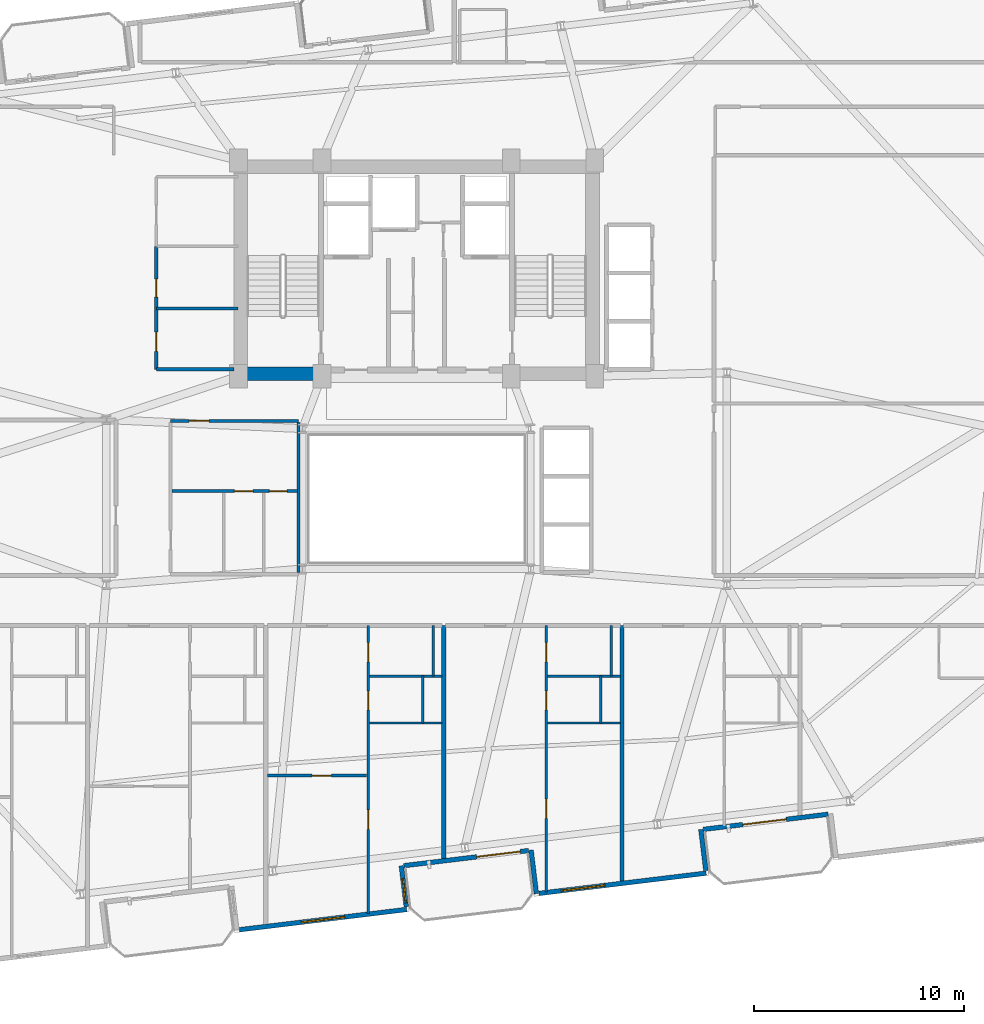
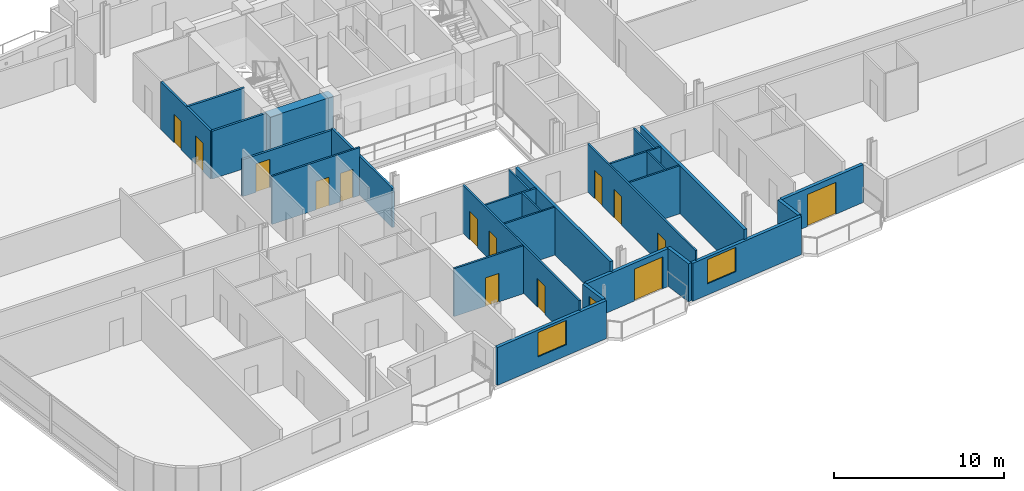
# One storey, part 15 of 23: 27 walls, 14 doors, 3 windows, 17 openings.
"""IFC4 building model written with IfcOpenShell, lengths in metres."""

from ifc_helpers import new_model, si_unit, direction, frame, frame_2d, origin, place, context, subcontext, project, spatial, rectangle, extrude, material, layer, layer_set, type_object, element, fill, save


model = new_model("IFC4")

# Units and contexts
model_context = context("Model", 3, precision=1e-05, world=origin(), true_north=direction((0.0, 1.0)))
body_context = subcontext(model_context, "Body", "Model", "MODEL_VIEW")
ifc_project = project(units=[si_unit("LENGTHUNIT", "METRE"), si_unit("AREAUNIT", "SQUARE_METRE"), si_unit("VOLUMEUNIT", "CUBIC_METRE"), si_unit("PLANEANGLEUNIT", "RADIAN"), si_unit("MASSUNIT", "GRAM", prefix="KILO")], contexts=[model_context])

# Site, building, storey
site_placement = place(None, origin())
site = spatial("IfcSite", under=ifc_project, at=site_placement, CompositionType="ELEMENT")
building_placement = place(site_placement, origin())
building = spatial("IfcBuilding", under=site, at=building_placement, Name="Varnelok Gate Tower", CompositionType="ELEMENT")
storey_placement = place(building_placement, frame((0.0, 0.0, 189.39990234375)))
storey = spatial("IfcBuildingStorey", under=building, at=storey_placement, Name="L48", CompositionType="ELEMENT", Elevation=189.39990234375)

# Wall, opening, door
ifc_material_1 = material(Name="Concrete C45/55", Category="concrete")
ifc_layer_1 = layer(ifc_material_1, 0.219970703125)
ifc_layer_set_1 = layer_set([ifc_layer_1], Name="Concrete C45/55")
wall_type_1 = type_object("IfcWallType", Name="EW-BALC-220", PredefinedType="SOLIDWALL", material=ifc_layer_set_1)
wall_1_placement = place(storey_placement, frame((44.5478515625, 6.114013671875, 0.0), z_axis=(0.0, 0.0, 1.0), x_axis=(-0.992735402148, -0.120318000826, 0.0)))
wall_1 = element("IfcWall", 1, at=wall_1_placement, inside=storey, type_object=wall_type_1, Name="L48 South Terrace Envelope Wall 2", PredefinedType="SOLIDWALL", context=body_context, shape_type="SweptSolid", body=[
    extrude(rectangle(XDim=6.000244140625, YDim=0.219970703125, at=frame_2d((3.0, 0.0))), origin(), (0.0, 0.0, 1.0), 2.72998046875),
])
opening_1_placement = place(wall_1_placement, frame((0.39990234375, 0.0, 0.0)))
opening_1 = element("IfcOpeningElement", 2, at=opening_1_placement, cuts=wall_1, Name="Opening BD-2", PredefinedType="OPENING", context=body_context, shape_type="SweptSolid", body=[
    extrude(rectangle(XDim=2.10009765625, YDim=2.300048828125, at=frame_2d((1.050048828125, 1.14990234375))), frame((0.0, 0.119873046875, 0.0), z_axis=(0.0, -1.0, 0.0), x_axis=(1.0, 0.0, 0.0)), (0.0, 0.0, 1.0), 0.239990234375),
])
ifc_material_2 = material(Name="Anodized Aluminum Alloy 6063-T6", Category="aluminium")
door_type_1 = type_object("IfcDoorType", Name="DR-EXT-SLID2100", OperationType="SLIDING_TO_LEFT", PredefinedType="DOOR", material=ifc_material_2)
door_1_placement = place(opening_1_placement, origin())
door_1 = element("IfcDoor", 3, at=door_1_placement, inside=storey, type_object=door_type_1, Name="L48 South Balcony Glazed Door 2", OperationType="SLIDING_TO_LEFT", OverallHeight=2.300048828125, OverallWidth=2.10009765625, PredefinedType="DOOR", context=body_context, shape_type="SweptSolid", body=[
    extrude(rectangle(XDim=2.10009765625, YDim=2.300048828125, at=frame_2d((1.050048828125, 1.14990234375))), frame((0.0, 0.02490234375, 0.0), z_axis=(0.0, -1.0, 0.0), x_axis=(1.0, 0.0, 0.0)), (0.0, 0.0, 1.0), 0.050048828125),
])
fill(opening_1, door_1)

wall_2_placement = place(storey_placement, frame((58.843017578125, 7.84716796875, 0.0), z_axis=(0.0, 0.0, 1.0), x_axis=(-0.992729951822, -0.120362962556, 0.0)))
wall_2 = element("IfcWall", 4, at=wall_2_placement, inside=storey, type_object=wall_type_1, Name="L48 South Terrace Envelope Wall 3", PredefinedType="SOLIDWALL", context=body_context, shape_type="SweptSolid", body=[
    extrude(rectangle(XDim=6.0, YDim=0.219970703125, at=frame_2d((3.0, 0.0))), origin(), (0.0, 0.0, 1.0), 2.72998046875),
])
opening_2_placement = place(wall_2_placement, frame((2.011962890625, 0.0, 0.0)))
opening_2 = element("IfcOpeningElement", 5, at=opening_2_placement, cuts=wall_2, Name="Opening BD-2", PredefinedType="OPENING", context=body_context, shape_type="SweptSolid", body=[
    extrude(rectangle(XDim=2.10009765625, YDim=2.300048828125, at=frame_2d((1.050048828125, 1.14990234375))), frame((0.0, 0.119873046875, 0.0), z_axis=(0.0, -1.0, 0.0), x_axis=(1.0, 0.0, 0.0)), (0.0, 0.0, 1.0), 0.239990234375),
])
door_2_placement = place(opening_2_placement, origin())
door_2 = element("IfcDoor", 6, at=door_2_placement, inside=storey, type_object=door_type_1, Name="L48 South Balcony Glazed Door 3", OperationType="SLIDING_TO_LEFT", OverallHeight=2.300048828125, OverallWidth=2.10009765625, PredefinedType="DOOR", context=body_context, shape_type="SweptSolid", body=[
    extrude(rectangle(XDim=2.10009765625, YDim=2.300048828125, at=frame_2d((1.050048828125, 1.14990234375))), frame((0.0, 0.02490234375, 0.0), z_axis=(0.0, -1.0, 0.0), x_axis=(1.0, 0.0, 0.0)), (0.0, 0.0, 1.0), 0.050048828125),
])
fill(opening_2, door_2)

# Wall, opening, window
wall_3_placement = place(storey_placement, frame((30.747314453125, 2.335693359375, 0.0), z_axis=(0.0, 0.0, 1.0), x_axis=(0.992731032022, 0.120354052946, 0.0)))
wall_3 = element("IfcWall", 7, at=wall_3_placement, inside=storey, type_object=wall_type_1, Name="L48 Perimeter Facade Closure Wall 10", PredefinedType="SOLIDWALL", context=body_context, shape_type="SweptSolid", body=[
    extrude(rectangle(XDim=8.034912109375, YDim=0.219970703125, at=frame_2d((4.017578125, 0.0))), origin(), (0.0, 0.0, 1.0), 2.72998046875),
])
opening_3_placement = place(wall_3_placement, frame((2.967529296875, 0.0, 0.800048828125)))
opening_3 = element("IfcOpeningElement", 8, at=opening_3_placement, cuts=wall_3, Name="Opening WN4", PredefinedType="OPENING", context=body_context, shape_type="SweptSolid", body=[
    extrude(rectangle(XDim=2.10009765625, YDim=1.75, at=frame_2d((1.050048828125, 0.875))), frame((0.0, 0.119873046875, 0.0), z_axis=(0.0, -1.0, 0.0), x_axis=(1.0, 0.0, 0.0)), (0.0, 0.0, 1.0), 0.239990234375),
])
ifc_material_3 = material(Name="Low-E Laminated Double Glazing IGU", Category="glass")
window_type_1 = type_object("IfcWindowType", Name="WN-SUI-2100", PartitioningType="SINGLE_PANEL", PredefinedType="WINDOW", material=ifc_material_3)
window_1_placement = place(opening_3_placement, origin())
window_1 = element("IfcWindow", 9, at=window_1_placement, inside=storey, type_object=window_type_1, Name="L48 Perimeter Vision Window 10", OverallHeight=1.75, OverallWidth=2.10009765625, PartitioningType="SINGLE_PANEL", PredefinedType="WINDOW", context=body_context, shape_type="SweptSolid", body=[
    extrude(rectangle(XDim=2.10009765625, YDim=1.75, at=frame_2d((1.050048828125, 0.875))), frame((0.0, 0.030029296875, 0.0), z_axis=(0.0, -1.0, 0.0), x_axis=(1.0, 0.0, 0.0)), (0.0, 0.0, 1.0), 0.06005859375),
])
fill(opening_3, window_1)

wall_4_placement = place(storey_placement, frame((38.708740234375, 3.427001953125, 0.0), z_axis=(0.0, 0.0, 1.0), x_axis=(-0.120397815541, 0.992725725472, 0.0)))
wall_4 = element("IfcWall", 10, at=wall_4_placement, inside=storey, type_object=wall_type_1, Name="L48 Perimeter Facade Closure Wall 11", PredefinedType="SOLIDWALL", context=body_context, shape_type="SweptSolid", body=[
    extrude(rectangle(XDim=1.97509765625, YDim=0.219970703125, at=frame_2d((0.987548828125, 0.0))), origin(), (0.0, 0.0, 1.0), 2.72998046875),
])
opening_4_placement = place(wall_4_placement, frame((0.199951171875, 0.0, 0.800048828125)))
opening_4 = element("IfcOpeningElement", 11, at=opening_4_placement, cuts=wall_4, Name="Opening WN8", PredefinedType="OPENING", context=body_context, shape_type="SweptSolid", body=[
    extrude(rectangle(XDim=1.14990234375, YDim=1.39990234375, at=frame_2d((0.574951171875, 0.699951171875))), frame((0.0, 0.119873046875, 0.0), z_axis=(0.0, -1.0, 0.0), x_axis=(1.0, 0.0, 0.0)), (0.0, 0.0, 1.0), 0.239990234375),
])
window_type_2 = type_object("IfcWindowType", Name="WN-BED-1150", PartitioningType="SINGLE_PANEL", PredefinedType="WINDOW", material=ifc_material_3)
window_2_placement = place(opening_4_placement, origin())
window_2 = element("IfcWindow", 12, at=window_2_placement, inside=storey, type_object=window_type_2, Name="L48 Bedroom Vision Window 30", OverallHeight=1.39990234375, OverallWidth=1.14990234375, PartitioningType="SINGLE_PANEL", PredefinedType="WINDOW", context=body_context, shape_type="SweptSolid", body=[
    extrude(rectangle(XDim=1.14990234375, YDim=1.39990234375, at=frame_2d((0.574951171875, 0.699951171875))), frame((0.0, 0.030029296875, 0.0), z_axis=(0.0, -1.0, 0.0), x_axis=(1.0, 0.0, 0.0)), (0.0, 0.0, 1.0), 0.06005859375),
])
fill(opening_4, window_2)

# Wall
wall_5_placement = place(storey_placement, frame((44.665771484375, 6.138427734375, 0.0), z_axis=(0.0, 0.0, 1.0), x_axis=(0.120327895535, -0.992734202874, 0.0)))
element("IfcWall", 13, at=wall_5_placement, inside=storey, type_object=wall_type_1, Name="L48 Perimeter Facade Closure Wall 12", PredefinedType="SOLIDWALL", context=body_context, shape_type="SweptSolid", body=[
    extrude(rectangle(XDim=2.099853515625, YDim=0.219970703125, at=frame_2d((1.0498046875, 0.0))), origin(), (0.0, 0.0, 1.0), 2.72998046875),
])

# Wall, opening, window
wall_6_placement = place(storey_placement, frame((45.04248046875, 4.06884765625, 0.0), z_axis=(0.0, 0.0, 1.0), x_axis=(0.992731032022, 0.120354052946, 0.0)))
wall_6 = element("IfcWall", 14, at=wall_6_placement, inside=storey, type_object=wall_type_1, Name="L48 Perimeter Facade Closure Wall 13", PredefinedType="SOLIDWALL", context=body_context, shape_type="SweptSolid", body=[
    extrude(rectangle(XDim=8.034912109375, YDim=0.219970703125, at=frame_2d((4.017578125, 0.0))), origin(), (0.0, 0.0, 1.0), 2.72998046875),
])
opening_5_placement = place(wall_6_placement, frame((1.068359375, 0.0, 0.800048828125)))
opening_5 = element("IfcOpeningElement", 15, at=opening_5_placement, cuts=wall_6, Name="Opening WN4", PredefinedType="OPENING", context=body_context, shape_type="SweptSolid", body=[
    extrude(rectangle(XDim=2.10009765625, YDim=1.75, at=frame_2d((1.050048828125, 0.875))), frame((0.0, 0.119873046875, 0.0), z_axis=(0.0, -1.0, 0.0), x_axis=(1.0, 0.0, 0.0)), (0.0, 0.0, 1.0), 0.239990234375),
])
window_3_placement = place(opening_5_placement, origin())
window_3 = element("IfcWindow", 16, at=window_3_placement, inside=storey, type_object=window_type_1, Name="L48 Perimeter Vision Window 13", OverallHeight=1.75, OverallWidth=2.10009765625, PartitioningType="SINGLE_PANEL", PredefinedType="WINDOW", context=body_context, shape_type="SweptSolid", body=[
    extrude(rectangle(XDim=2.10009765625, YDim=1.75, at=frame_2d((1.050048828125, 0.875))), frame((0.0, 0.030029296875, 0.0), z_axis=(0.0, -1.0, 0.0), x_axis=(1.0, 0.0, 0.0)), (0.0, 0.0, 1.0), 0.06005859375),
])
fill(opening_5, window_3)

# Walls
wall_7_placement = place(storey_placement, frame((53.004150390625, 5.159912109375, 0.0), z_axis=(0.0, 0.0, 1.0), x_axis=(-0.120397815541, 0.992725725472, 0.0)))
element("IfcWall", 17, at=wall_7_placement, inside=storey, type_object=wall_type_1, Name="L48 Perimeter Facade Closure Wall 14", PredefinedType="SOLIDWALL", context=body_context, shape_type="SweptSolid", body=[
    extrude(rectangle(XDim=1.97509765625, YDim=0.219970703125, at=frame_2d((0.987548828125, 0.0))), origin(), (0.0, 0.0, 1.0), 2.72998046875),
])
ifc_material_4 = material(Name="Gypsum Plasterboard Acoustic Partition", Category="gypsum")
ifc_layer_2 = layer(ifc_material_4, 0.114990234375)
ifc_layer_set_2 = layer_set([ifc_layer_2], Name="Gypsum Plasterboard Acoustic Partition")
wall_type_2 = type_object("IfcWallType", Name="PW-ENS-125", PredefinedType="PARTITIONING", material=ifc_layer_set_2)
wall_8_placement = place(storey_placement, frame((36.955078125, 12.199951171875, 0.0), z_axis=(0.0, 0.0, 1.0), x_axis=(1.0, 0.0, 0.0)))
element("IfcWall", 18, at=wall_8_placement, inside=storey, type_object=wall_type_2, Name="Interior Partition", PredefinedType="PARTITIONING", context=body_context, shape_type="SweptSolid", body=[
    extrude(rectangle(XDim=3.46484375, YDim=0.114990234375, at=frame_2d((1.732421875, 0.0))), origin(), (0.0, 0.0, 1.0), 3.4501953125),
])
wall_9_placement = place(storey_placement, frame((39.4951171875, 12.199951171875, 0.0), z_axis=(0.0, 0.0, 1.0), x_axis=(0.0, 1.0, 0.0)))
element("IfcWall", 19, at=wall_9_placement, inside=storey, type_object=wall_type_2, Name="Interior Partition", PredefinedType="PARTITIONING", context=body_context, shape_type="SweptSolid", body=[
    extrude(rectangle(XDim=2.239990234375, YDim=0.114990234375, at=frame_2d((1.1201171875, 0.0))), origin(), (0.0, 0.0, 1.0), 3.4501953125),
])
wall_10_placement = place(storey_placement, frame((45.455078125, 12.199951171875, 0.0), z_axis=(0.0, 0.0, 1.0), x_axis=(1.0, 0.0, 0.0)))
element("IfcWall", 20, at=wall_10_placement, inside=storey, type_object=wall_type_2, Name="Interior Partition", PredefinedType="PARTITIONING", context=body_context, shape_type="SweptSolid", body=[
    extrude(rectangle(XDim=3.46484375, YDim=0.114990234375, at=frame_2d((1.732421875, 0.0))), origin(), (0.0, 0.0, 1.0), 3.4501953125),
])
wall_11_placement = place(storey_placement, frame((47.9951171875, 12.199951171875, 0.0), z_axis=(0.0, 0.0, 1.0), x_axis=(0.0, 1.0, 0.0)))
element("IfcWall", 21, at=wall_11_placement, inside=storey, type_object=wall_type_2, Name="Interior Partition", PredefinedType="PARTITIONING", context=body_context, shape_type="SweptSolid", body=[
    extrude(rectangle(XDim=2.239990234375, YDim=0.114990234375, at=frame_2d((1.1201171875, 0.0))), origin(), (0.0, 0.0, 1.0), 3.4501953125),
])

# Wall, opening, door
ifc_layer_3 = layer(ifc_material_4, 0.125)
ifc_layer_set_3 = layer_set([ifc_layer_3], Name="Gypsum Plasterboard Acoustic Partition")
wall_type_3 = type_object("IfcWallType", Name="PW-PART-125", PredefinedType="PARTITIONING", material=ifc_layer_set_3)
wall_12_placement = place(storey_placement, frame((32.080078125, 9.69384765625, 0.0), z_axis=(0.0, 0.0, 1.0), x_axis=(1.0, 0.0, 0.0)))
wall_12 = element("IfcWall", 22, at=wall_12_placement, inside=storey, type_object=wall_type_3, Name="Interior Partition", PredefinedType="PARTITIONING", context=body_context, shape_type="SweptSolid", body=[
    extrude(rectangle(XDim=4.735107421875, YDim=0.125, at=frame_2d((2.36767578125, 0.0))), origin(), (0.0, 0.0, 1.0), 3.4501953125),
])
opening_6_placement = place(wall_12_placement, frame((2.130859375, 0.0, 0.0)))
opening_6 = element("IfcOpeningElement", 23, at=opening_6_placement, cuts=wall_12, Name="Opening D-I3", PredefinedType="OPENING", context=body_context, shape_type="SweptSolid", body=[
    extrude(rectangle(XDim=0.919921875, YDim=2.050048828125, at=frame_2d((0.4599609375, 1.02490234375))), frame((0.0, 0.072509765625, 0.0), z_axis=(0.0, -1.0, 0.0), x_axis=(1.0, 0.0, 0.0)), (0.0, 0.0, 1.0), 0.14501953125),
])
ifc_material_5 = material(Name="Engineered Hardwood Timber", Category="wood")
door_type_2 = type_object("IfcDoorType", Name="DR-INT-920", OperationType="NOTDEFINED", PredefinedType="DOOR", material=ifc_material_5)
door_3_placement = place(opening_6_placement, origin())
door_3 = element("IfcDoor", 24, at=door_3_placement, inside=storey, type_object=door_type_2, Name="L48 Apartment 4 Study Door", OperationType="SINGLE_SWING_LEFT", OverallHeight=2.050048828125, OverallWidth=0.919921875, PredefinedType="DOOR", context=body_context, shape_type="SweptSolid", body=[
    extrude(rectangle(XDim=0.919921875, YDim=2.050048828125, at=frame_2d((0.4599609375, 1.02490234375))), frame((0.0, 0.02490234375, 0.0), z_axis=(0.0, -1.0, 0.0), x_axis=(1.0, 0.0, 0.0)), (0.0, 0.0, 1.0), 0.050048828125),
])
fill(opening_6, door_3)

# Wall, openings, doors
wall_13_placement = place(storey_placement, frame((36.88525390625, 3.10009765625, 0.0), z_axis=(0.0, 0.0, 1.0), x_axis=(0.0, 1.0, 0.0)))
wall_13 = element("IfcWall", 25, at=wall_13_placement, inside=storey, type_object=wall_type_3, Name="Interior Partition", PredefinedType="PARTITIONING", context=body_context, shape_type="SweptSolid", body=[
    extrude(rectangle(XDim=13.75, YDim=0.125, at=frame_2d((6.875, 0.0))), origin(), (0.0, 0.0, 1.0), 3.4501953125),
])
opening_7_placement = place(wall_13_placement, frame((4.030029296875, 0.0, 0.0)))
opening_7 = element("IfcOpeningElement", 26, at=opening_7_placement, cuts=wall_13, Name="Opening D-I3", PredefinedType="OPENING", context=body_context, shape_type="SweptSolid", body=[
    extrude(rectangle(XDim=0.919921875, YDim=2.050048828125, at=frame_2d((0.4599609375, 1.02490234375))), frame((0.0, 0.072509765625, 0.0), z_axis=(0.0, -1.0, 0.0), x_axis=(1.0, 0.0, 0.0)), (0.0, 0.0, 1.0), 0.14501953125),
])
opening_8_placement = place(wall_13_placement, frame((9.727294921875, 0.0, 0.0)))
opening_8 = element("IfcOpeningElement", 27, at=opening_8_placement, cuts=wall_13, Name="Opening D-WC", PredefinedType="OPENING", context=body_context, shape_type="SweptSolid", body=[
    extrude(rectangle(XDim=0.89990234375, YDim=2.050048828125, at=frame_2d((0.449951171875, 1.02490234375))), frame((0.0, 0.072509765625, 0.0), z_axis=(0.0, -1.0, 0.0), x_axis=(1.0, 0.0, 0.0)), (0.0, 0.0, 1.0), 0.14501953125),
])
opening_9_placement = place(wall_13_placement, frame((12.02001953125, 0.0, 0.0)))
opening_9 = element("IfcOpeningElement", 28, at=opening_9_placement, cuts=wall_13, Name="Opening D-I3", PredefinedType="OPENING", context=body_context, shape_type="SweptSolid", body=[
    extrude(rectangle(XDim=0.919921875, YDim=2.050048828125, at=frame_2d((0.4599609375, 1.02490234375))), frame((0.0, 0.072509765625, 0.0), z_axis=(0.0, -1.0, 0.0), x_axis=(1.0, 0.0, 0.0)), (0.0, 0.0, 1.0), 0.14501953125),
])
door_type_3 = type_object("IfcDoorType", Name="DR-BATH-900", OperationType="NOTDEFINED", PredefinedType="DOOR", material=ifc_material_5)
door_4_placement = place(opening_8_placement, origin())
door_4 = element("IfcDoor", 29, at=door_4_placement, inside=storey, type_object=door_type_3, Name="L48 Apartment 4 Bathroom Door", OperationType="SINGLE_SWING_LEFT", OverallHeight=2.050048828125, OverallWidth=0.89990234375, PredefinedType="DOOR", context=body_context, shape_type="SweptSolid", body=[
    extrude(rectangle(XDim=0.89990234375, YDim=2.050048828125, at=frame_2d((0.449951171875, 1.02490234375))), frame((0.0, 0.02490234375, 0.0), z_axis=(0.0, -1.0, 0.0), x_axis=(1.0, 0.0, 0.0)), (0.0, 0.0, 1.0), 0.050048828125),
])
fill(opening_8, door_4)
door_5_placement = place(opening_7_placement, origin())
door_5 = element("IfcDoor", 30, at=door_5_placement, inside=storey, type_object=door_type_2, Name="L48 Apartment 4 Bedroom Door", OperationType="SINGLE_SWING_RIGHT", OverallHeight=2.050048828125, OverallWidth=0.919921875, PredefinedType="DOOR", context=body_context, shape_type="SweptSolid", body=[
    extrude(rectangle(XDim=0.919921875, YDim=2.050048828125, at=frame_2d((0.4599609375, 1.02490234375))), frame((0.0, 0.02490234375, 0.0), z_axis=(0.0, -1.0, 0.0), x_axis=(1.0, 0.0, 0.0)), (0.0, 0.0, 1.0), 0.050048828125),
])
fill(opening_7, door_5)
door_6_placement = place(opening_9_placement, origin())
door_6 = element("IfcDoor", 31, at=door_6_placement, inside=storey, type_object=door_type_2, Name="L48 Apartment 4 Kitchen Door", OperationType="SINGLE_SWING_RIGHT", OverallHeight=2.050048828125, OverallWidth=0.919921875, PredefinedType="DOOR", context=body_context, shape_type="SweptSolid", body=[
    extrude(rectangle(XDim=0.919921875, YDim=2.050048828125, at=frame_2d((0.4599609375, 1.02490234375))), frame((0.0, 0.02490234375, 0.0), z_axis=(0.0, -1.0, 0.0), x_axis=(1.0, 0.0, 0.0)), (0.0, 0.0, 1.0), 0.050048828125),
])
fill(opening_9, door_6)

# Walls
wall_14_placement = place(storey_placement, frame((36.955078125, 14.43994140625, 0.0), z_axis=(0.0, 0.0, 1.0), x_axis=(1.0, 0.0, 0.0)))
element("IfcWall", 32, at=wall_14_placement, inside=storey, type_object=wall_type_3, Name="Interior Partition", PredefinedType="PARTITIONING", context=body_context, shape_type="SweptSolid", body=[
    extrude(rectangle(XDim=3.46484375, YDim=0.125, at=frame_2d((1.732421875, 0.0))), origin(), (0.0, 0.0, 1.0), 3.4501953125),
])
wall_15_placement = place(storey_placement, frame((39.9951171875, 14.43994140625, 0.0), z_axis=(0.0, 0.0, 1.0), x_axis=(0.0, 1.0, 0.0)))
element("IfcWall", 33, at=wall_15_placement, inside=storey, type_object=wall_type_3, Name="Interior Partition", PredefinedType="PARTITIONING", context=body_context, shape_type="SweptSolid", body=[
    extrude(rectangle(XDim=2.41015625, YDim=0.125, at=frame_2d((1.205078125, 0.0))), origin(), (0.0, 0.0, 1.0), 3.4501953125),
])

# Wall, openings, doors
wall_16_placement = place(storey_placement, frame((45.38525390625, 4.130615234375, 0.0), z_axis=(0.0, 0.0, 1.0), x_axis=(0.0, 1.0, 0.0)))
wall_16 = element("IfcWall", 34, at=wall_16_placement, inside=storey, type_object=wall_type_3, Name="Interior Partition", PredefinedType="PARTITIONING", context=body_context, shape_type="SweptSolid", body=[
    extrude(rectangle(XDim=12.719482421875, YDim=0.125, at=frame_2d((6.35986328125, 0.0))), origin(), (0.0, 0.0, 1.0), 3.4501953125),
])
opening_10_placement = place(wall_16_placement, frame((3.5146484375, 0.0, 0.0)))
opening_10 = element("IfcOpeningElement", 35, at=opening_10_placement, cuts=wall_16, Name="Opening D-I3", PredefinedType="OPENING", context=body_context, shape_type="SweptSolid", body=[
    extrude(rectangle(XDim=0.919921875, YDim=2.050048828125, at=frame_2d((0.4599609375, 1.02490234375))), frame((0.0, 0.072509765625, 0.0), z_axis=(0.0, -1.0, 0.0), x_axis=(1.0, 0.0, 0.0)), (0.0, 0.0, 1.0), 0.14501953125),
])
opening_11_placement = place(wall_16_placement, frame((8.69677734375, 0.0, 0.0)))
opening_11 = element("IfcOpeningElement", 36, at=opening_11_placement, cuts=wall_16, Name="Opening D-WC", PredefinedType="OPENING", context=body_context, shape_type="SweptSolid", body=[
    extrude(rectangle(XDim=0.89990234375, YDim=2.050048828125, at=frame_2d((0.449951171875, 1.02490234375))), frame((0.0, 0.072509765625, 0.0), z_axis=(0.0, -1.0, 0.0), x_axis=(1.0, 0.0, 0.0)), (0.0, 0.0, 1.0), 0.14501953125),
])
opening_12_placement = place(wall_16_placement, frame((10.989501953125, 0.0, 0.0)))
opening_12 = element("IfcOpeningElement", 37, at=opening_12_placement, cuts=wall_16, Name="Opening D-I3", PredefinedType="OPENING", context=body_context, shape_type="SweptSolid", body=[
    extrude(rectangle(XDim=0.919921875, YDim=2.050048828125, at=frame_2d((0.4599609375, 1.02490234375))), frame((0.0, 0.072509765625, 0.0), z_axis=(0.0, -1.0, 0.0), x_axis=(1.0, 0.0, 0.0)), (0.0, 0.0, 1.0), 0.14501953125),
])
door_7_placement = place(opening_11_placement, origin())
door_7 = element("IfcDoor", 38, at=door_7_placement, inside=storey, type_object=door_type_3, Name="L48 Apartment 5 Bathroom Door", OperationType="SINGLE_SWING_LEFT", OverallHeight=2.050048828125, OverallWidth=0.89990234375, PredefinedType="DOOR", context=body_context, shape_type="SweptSolid", body=[
    extrude(rectangle(XDim=0.89990234375, YDim=2.050048828125, at=frame_2d((0.449951171875, 1.02490234375))), frame((0.0, 0.02490234375, 0.0), z_axis=(0.0, -1.0, 0.0), x_axis=(1.0, 0.0, 0.0)), (0.0, 0.0, 1.0), 0.050048828125),
])
fill(opening_11, door_7)
door_8_placement = place(opening_10_placement, origin())
door_8 = element("IfcDoor", 39, at=door_8_placement, inside=storey, type_object=door_type_2, Name="L48 Apartment 5 Bedroom Door", OperationType="SINGLE_SWING_RIGHT", OverallHeight=2.050048828125, OverallWidth=0.919921875, PredefinedType="DOOR", context=body_context, shape_type="SweptSolid", body=[
    extrude(rectangle(XDim=0.919921875, YDim=2.050048828125, at=frame_2d((0.4599609375, 1.02490234375))), frame((0.0, 0.02490234375, 0.0), z_axis=(0.0, -1.0, 0.0), x_axis=(1.0, 0.0, 0.0)), (0.0, 0.0, 1.0), 0.050048828125),
])
fill(opening_10, door_8)
door_9_placement = place(opening_12_placement, origin())
door_9 = element("IfcDoor", 40, at=door_9_placement, inside=storey, type_object=door_type_2, Name="L48 Apartment 5 Kitchen Door", OperationType="SINGLE_SWING_RIGHT", OverallHeight=2.050048828125, OverallWidth=0.919921875, PredefinedType="DOOR", context=body_context, shape_type="SweptSolid", body=[
    extrude(rectangle(XDim=0.919921875, YDim=2.050048828125, at=frame_2d((0.4599609375, 1.02490234375))), frame((0.0, 0.02490234375, 0.0), z_axis=(0.0, -1.0, 0.0), x_axis=(1.0, 0.0, 0.0)), (0.0, 0.0, 1.0), 0.050048828125),
])
fill(opening_12, door_9)

# Walls
wall_17_placement = place(storey_placement, frame((45.455078125, 14.43994140625, 0.0), z_axis=(0.0, 0.0, 1.0), x_axis=(1.0, 0.0, 0.0)))
element("IfcWall", 41, at=wall_17_placement, inside=storey, type_object=wall_type_3, Name="Interior Partition", PredefinedType="PARTITIONING", context=body_context, shape_type="SweptSolid", body=[
    extrude(rectangle(XDim=3.46484375, YDim=0.125, at=frame_2d((1.732421875, 0.0))), origin(), (0.0, 0.0, 1.0), 3.4501953125),
])
wall_18_placement = place(storey_placement, frame((48.4951171875, 14.43994140625, 0.0), z_axis=(0.0, 0.0, 1.0), x_axis=(0.0, 1.0, 0.0)))
element("IfcWall", 42, at=wall_18_placement, inside=storey, type_object=wall_type_3, Name="Interior Partition", PredefinedType="PARTITIONING", context=body_context, shape_type="SweptSolid", body=[
    extrude(rectangle(XDim=2.41015625, YDim=0.125, at=frame_2d((1.205078125, 0.0))), origin(), (0.0, 0.0, 1.0), 3.4501953125),
])

# Wall, openings, doors
wall_19_placement = place(storey_placement, frame((27.52001953125, 23.27001953125, 0.0), z_axis=(0.0, 0.0, 1.0), x_axis=(1.0, 0.0, 0.0)))
wall_19 = element("IfcWall", 43, at=wall_19_placement, inside=storey, type_object=wall_type_3, Name="Interior Partition", PredefinedType="PARTITIONING", context=body_context, shape_type="SweptSolid", body=[
    extrude(rectangle(XDim=6.0, YDim=0.125, at=frame_2d((3.0, 0.0))), origin(), (0.0, 0.0, 1.0), 3.4501953125),
])
opening_13_placement = place(wall_19_placement, frame((2.981689453125, 0.0, 0.0)))
opening_13 = element("IfcOpeningElement", 44, at=opening_13_placement, cuts=wall_19, Name="Opening D-I4", PredefinedType="OPENING", context=body_context, shape_type="SweptSolid", body=[
    extrude(rectangle(XDim=0.89990234375, YDim=2.050048828125, at=frame_2d((0.449951171875, 1.02490234375))), frame((0.0, 0.072509765625, 0.0), z_axis=(0.0, -1.0, 0.0), x_axis=(1.0, 0.0, 0.0)), (0.0, 0.0, 1.0), 0.14501953125),
])
opening_14_placement = place(wall_19_placement, frame((4.64990234375, 0.0, 0.0)))
opening_14 = element("IfcOpeningElement", 45, at=opening_14_placement, cuts=wall_19, Name="Opening D-RS", PredefinedType="OPENING", context=body_context, shape_type="SweptSolid", body=[
    extrude(rectangle(XDim=0.85009765625, YDim=2.050048828125, at=frame_2d((0.425048828125, 1.02490234375))), frame((0.0, 0.072509765625, 0.0), z_axis=(0.0, -1.0, 0.0), x_axis=(1.0, 0.0, 0.0)), (0.0, 0.0, 1.0), 0.14501953125),
])
door_type_4 = type_object("IfcDoorType", Name="DR-INT-900", OperationType="NOTDEFINED", PredefinedType="DOOR", material=ifc_material_5)
door_10_placement = place(opening_13_placement, origin())
door_10 = element("IfcDoor", 46, at=door_10_placement, inside=storey, type_object=door_type_4, Name="L48 Trolley Room Door", OperationType="SINGLE_SWING_LEFT", OverallHeight=2.050048828125, OverallWidth=0.89990234375, PredefinedType="DOOR", context=body_context, shape_type="SweptSolid", body=[
    extrude(rectangle(XDim=0.89990234375, YDim=2.050048828125, at=frame_2d((0.449951171875, 1.02490234375))), frame((0.0, 0.02490234375, 0.0), z_axis=(0.0, -1.0, 0.0), x_axis=(1.0, 0.0, 0.0)), (0.0, 0.0, 1.0), 0.050048828125),
])
fill(opening_13, door_10)
ifc_material_6 = material(Name="Galvanized Steel Grade S350GD", Category="steel")
door_type_5 = type_object("IfcDoorType", Name="DR-RISER-850", OperationType="NOTDEFINED", PredefinedType="DOOR", material=ifc_material_6)
door_11_placement = place(opening_14_placement, origin())
door_11 = element("IfcDoor", 47, at=door_11_placement, inside=storey, type_object=door_type_5, Name="L48 Janitor Sink Door", OperationType="SINGLE_SWING_RIGHT", OverallHeight=2.050048828125, OverallWidth=0.85009765625, PredefinedType="DOOR", context=body_context, shape_type="SweptSolid", body=[
    extrude(rectangle(XDim=0.85009765625, YDim=2.050048828125, at=frame_2d((0.425048828125, 1.02490234375))), frame((0.0, 0.02490234375, 0.0), z_axis=(0.0, -1.0, 0.0), x_axis=(1.0, 0.0, 0.0)), (0.0, 0.0, 1.0), 0.050048828125),
])
fill(opening_14, door_11)

# Wall, opening, door
ifc_layer_4 = layer(ifc_material_4, 0.14990234375)
ifc_layer_set_4 = layer_set([ifc_layer_4], Name="Gypsum Plasterboard Acoustic Partition")
wall_type_4 = type_object("IfcWallType", Name="PW-PART-150", PredefinedType="PARTITIONING", material=ifc_layer_set_4)
wall_20_placement = place(storey_placement, frame((27.4599609375, 26.6201171875, 0.0), z_axis=(0.0, 0.0, 1.0), x_axis=(1.0, 0.0, 0.0)))
wall_20 = element("IfcWall", 48, at=wall_20_placement, inside=storey, type_object=wall_type_4, Name="Interior Partition", PredefinedType="PARTITIONING", context=body_context, shape_type="SweptSolid", body=[
    extrude(rectangle(XDim=6.10009765625, YDim=0.14990234375, at=frame_2d((3.050048828125, 0.0))), origin(), (0.0, 0.0, 1.0), 2.662109375),
])
opening_15_placement = place(wall_20_placement, frame((0.8896484375, 0.0, 0.0)))
opening_15 = element("IfcOpeningElement", 49, at=opening_15_placement, cuts=wall_20, Name="Opening D-I2", PredefinedType="OPENING", context=body_context, shape_type="SweptSolid", body=[
    extrude(rectangle(XDim=0.949951171875, YDim=2.050048828125, at=frame_2d((0.47509765625, 1.02490234375))), frame((0.0, 0.0849609375, 0.0), z_axis=(0.0, -1.0, 0.0), x_axis=(1.0, 0.0, 0.0)), (0.0, 0.0, 1.0), 0.169921875),
])
door_type_6 = type_object("IfcDoorType", Name="DR-INT-950", OperationType="NOTDEFINED", PredefinedType="DOOR", material=ifc_material_5)
door_12_placement = place(opening_15_placement, origin())
door_12 = element("IfcDoor", 50, at=door_12_placement, inside=storey, type_object=door_type_6, Name="L48 Children Playroom Door", OperationType="SINGLE_SWING_LEFT", OverallHeight=2.050048828125, OverallWidth=0.949951171875, PredefinedType="DOOR", context=body_context, shape_type="SweptSolid", body=[
    extrude(rectangle(XDim=0.949951171875, YDim=2.050048828125, at=frame_2d((0.47509765625, 1.02490234375))), frame((0.0, 0.02490234375, 0.0), z_axis=(0.0, -1.0, 0.0), x_axis=(1.0, 0.0, 0.0)), (0.0, 0.0, 1.0), 0.050048828125),
])
fill(opening_15, door_12)

# Walls
wall_21_placement = place(storey_placement, frame((33.56005859375, 19.3798828125, 0.0), z_axis=(0.0, 0.0, 1.0), x_axis=(0.0, 1.0, 0.0)))
element("IfcWall", 51, at=wall_21_placement, inside=storey, type_object=wall_type_4, Name="Interior Partition", PredefinedType="PARTITIONING", context=body_context, shape_type="SweptSolid", body=[
    extrude(rectangle(XDim=7.16015625, YDim=0.14990234375, at=frame_2d((3.580078125, 0.0))), origin(), (0.0, 0.0, 1.0), 2.82421875),
])
wall_22_placement = place(storey_placement, frame((26.780029296875, 29.080078125, 0.0), z_axis=(0.0, 0.0, 1.0), x_axis=(1.0, 0.0, 0.0)))
element("IfcWall", 52, at=wall_22_placement, inside=storey, type_object=wall_type_4, Name="Interior Partition", PredefinedType="PARTITIONING", context=body_context, shape_type="SweptSolid", body=[
    extrude(rectangle(XDim=3.699951171875, YDim=0.14990234375, at=frame_2d((1.85009765625, 0.0))), origin(), (0.0, 0.0, 1.0), 3.4501953125),
])
wall_23_placement = place(storey_placement, frame((26.800048828125, 31.989990234375, 0.0), z_axis=(0.0, 0.0, 1.0), x_axis=(1.0, 0.0, 0.0)))
element("IfcWall", 53, at=wall_23_placement, inside=storey, type_object=wall_type_4, Name="Interior Partition", PredefinedType="PARTITIONING", context=body_context, shape_type="SweptSolid", body=[
    extrude(rectangle(XDim=3.8798828125, YDim=0.14990234375, at=frame_2d((1.93994140625, 0.0))), origin(), (0.0, 0.0, 1.0), 3.4501953125),
])

# Wall, openings, doors
wall_24_placement = place(storey_placement, frame((26.780029296875, 29.080078125, 0.0), z_axis=(0.0, 0.0, 1.0), x_axis=(0.0, 1.0, 0.0)))
wall_24 = element("IfcWall", 54, at=wall_24_placement, inside=storey, type_object=wall_type_4, Name="Interior Partition", PredefinedType="PARTITIONING", context=body_context, shape_type="SweptSolid", body=[
    extrude(rectangle(XDim=5.869873046875, YDim=0.14990234375, at=frame_2d((2.93505859375, 0.0))), origin(), (0.0, 0.0, 1.0), 3.4501953125),
])
opening_16_placement = place(wall_24_placement, frame((0.85009765625, 0.0, 0.0)))
opening_16 = element("IfcOpeningElement", 55, at=opening_16_placement, cuts=wall_24, Name="Opening D-I3", PredefinedType="OPENING", context=body_context, shape_type="SweptSolid", body=[
    extrude(rectangle(XDim=0.919921875, YDim=2.050048828125, at=frame_2d((0.4599609375, 1.02490234375))), frame((0.0, 0.0849609375, 0.0), z_axis=(0.0, -1.0, 0.0), x_axis=(1.0, 0.0, 0.0)), (0.0, 0.0, 1.0), 0.169921875),
])
opening_17_placement = place(wall_24_placement, frame((3.449951171875, 0.0, 0.0)))
opening_17 = element("IfcOpeningElement", 56, at=opening_17_placement, cuts=wall_24, Name="Opening D-RS", PredefinedType="OPENING", context=body_context, shape_type="SweptSolid", body=[
    extrude(rectangle(XDim=0.85009765625, YDim=2.050048828125, at=frame_2d((0.425048828125, 1.02490234375))), frame((0.0, 0.0849609375, 0.0), z_axis=(0.0, -1.0, 0.0), x_axis=(1.0, 0.0, 0.0)), (0.0, 0.0, 1.0), 0.169921875),
])
door_13_placement = place(opening_16_placement, origin())
door_13 = element("IfcDoor", 57, at=door_13_placement, inside=storey, type_object=door_type_2, Name="L48 Core Linen Door", OperationType="SINGLE_SWING_LEFT", OverallHeight=2.050048828125, OverallWidth=0.919921875, PredefinedType="DOOR", context=body_context, shape_type="SweptSolid", body=[
    extrude(rectangle(XDim=0.919921875, YDim=2.050048828125, at=frame_2d((0.4599609375, 1.02490234375))), frame((0.0, 0.02490234375, 0.0), z_axis=(0.0, -1.0, 0.0), x_axis=(1.0, 0.0, 0.0)), (0.0, 0.0, 1.0), 0.050048828125),
])
fill(opening_16, door_13)
door_14_placement = place(opening_17_placement, origin())
door_14 = element("IfcDoor", 58, at=door_14_placement, inside=storey, type_object=door_type_5, Name="L48 Core Janitor Door", OperationType="SINGLE_SWING_RIGHT", OverallHeight=2.050048828125, OverallWidth=0.85009765625, PredefinedType="DOOR", context=body_context, shape_type="SweptSolid", body=[
    extrude(rectangle(XDim=0.85009765625, YDim=2.050048828125, at=frame_2d((0.425048828125, 1.02490234375))), frame((0.0, 0.02490234375, 0.0), z_axis=(0.0, -1.0, 0.0), x_axis=(1.0, 0.0, 0.0)), (0.0, 0.0, 1.0), 0.050048828125),
])
fill(opening_17, door_14)

# Walls
ifc_layer_5 = layer(ifc_material_4, 0.205078125)
ifc_layer_set_5 = layer_set([ifc_layer_5], Name="Gypsum Plasterboard Acoustic Partition")
wall_type_5 = type_object("IfcWallType", Name="PW-PARTY-200", PredefinedType="PARTITIONING", material=ifc_layer_set_5)
wall_25_placement = place(storey_placement, frame((40.5, 5.65380859375, 0.0), z_axis=(0.0, 0.0, 1.0), x_axis=(0.0, 1.0, 0.0)))
element("IfcWall", 59, at=wall_25_placement, inside=storey, type_object=wall_type_5, Name="L48 South Party Wall 4", PredefinedType="PARTITIONING", context=body_context, shape_type="SweptSolid", body=[
    extrude(rectangle(XDim=11.1962890625, YDim=0.205078125, at=frame_2d((5.59814453125, 0.0))), origin(), (0.0, 0.0, 1.0), 3.4501953125),
])
wall_26_placement = place(storey_placement, frame((49.0, 4.568603515625, 0.0), z_axis=(0.0, 0.0, 1.0), x_axis=(0.0, 1.0, 0.0)))
element("IfcWall", 60, at=wall_26_placement, inside=storey, type_object=wall_type_5, Name="L48 South Party Wall 5", PredefinedType="PARTITIONING", context=body_context, shape_type="SweptSolid", body=[
    extrude(rectangle(XDim=12.281494140625, YDim=0.205078125, at=frame_2d((6.140625, 0.0))), origin(), (0.0, 0.0, 1.0), 3.4501953125),
])
ifc_material_7 = material(Name="Concrete C60/75", Category="concrete")
ifc_layer_6 = layer(ifc_material_7, 0.64990234375)
ifc_layer_set_6 = layer_set([ifc_layer_6], Name="Concrete C60/75")
wall_type_6 = type_object("IfcWallType", Name="SW-CORE-650", PredefinedType="SHEAR", material=ifc_layer_set_6)
wall_27_placement = place(storey_placement, frame((30.47998046875, 28.875, 0.0), z_axis=(0.0, 0.0, 1.0), x_axis=(1.0, 0.0, 0.0)))
element("IfcWall", 61, at=wall_27_placement, inside=storey, type_object=wall_type_6, Name="L48 Rear Core South-West Shear Wall", PredefinedType="SHEAR", context=body_context, shape_type="SweptSolid", body=[
    extrude(rectangle(XDim=4.320068359375, YDim=0.64990234375, at=frame_2d((2.16015625, 0.0))), origin(), (0.0, 0.0, 1.0), 3.4501953125),
])

save(model, "model.ifc")
